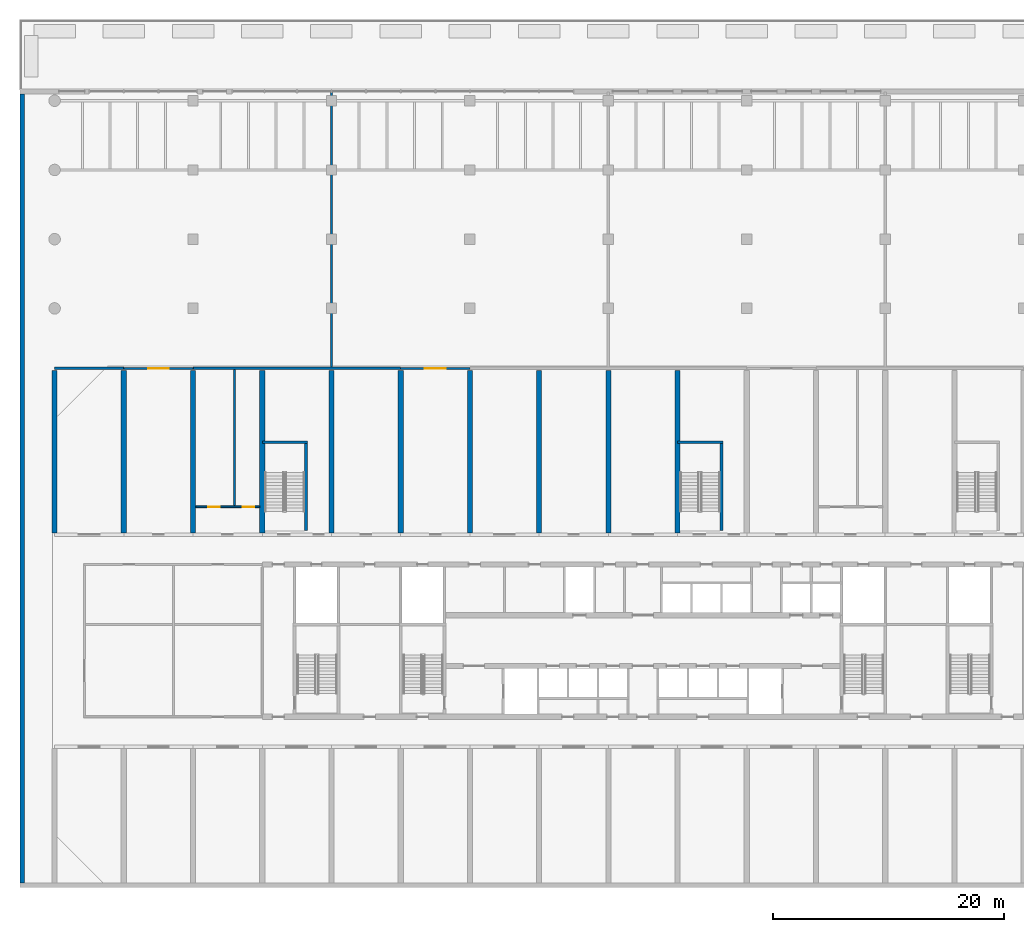
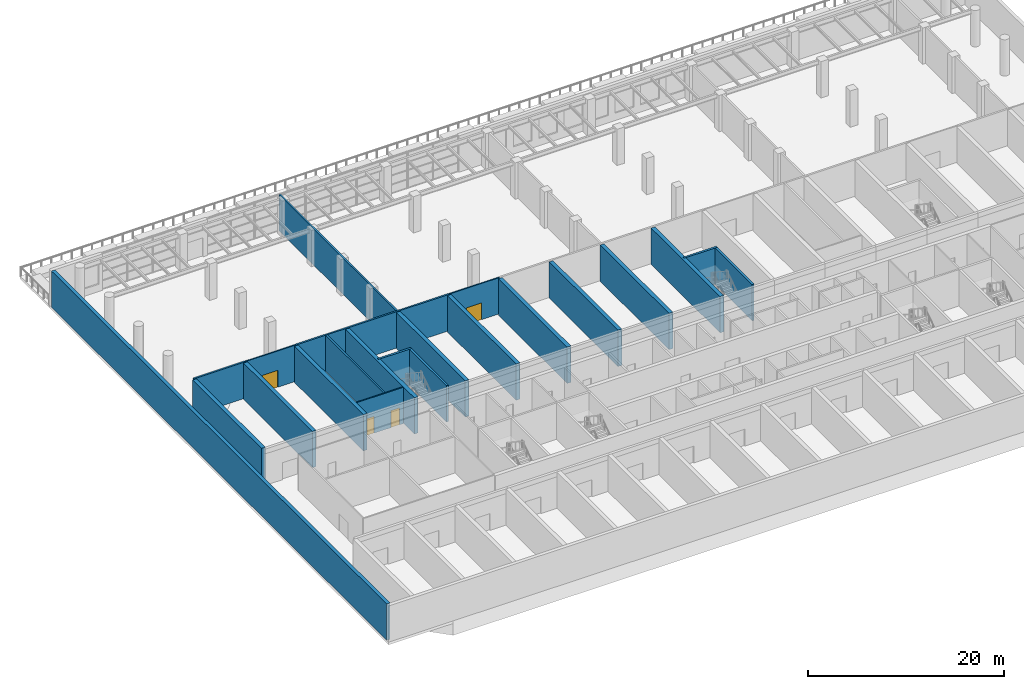
# One storey, part 11 of 20: 22 walls, 4 doors, 4 openings.
"""IFC4 building model written with IfcOpenShell, lengths in metres."""

from ifc_helpers import new_model, si_unit, direction, frame, frame_2d, origin, place, context, subcontext, project, spatial, rectangle, extrude, material, layer, layer_set, type_object, element, fill, save


model = new_model("IFC4")

# Units and contexts
model_context = context("Model", 3, precision=1e-05, world=origin(), true_north=direction((0.0, 1.0)))
body_context = subcontext(model_context, "Body", "Model", "MODEL_VIEW")
ifc_project = project(units=[si_unit("LENGTHUNIT", "METRE"), si_unit("AREAUNIT", "SQUARE_METRE"), si_unit("VOLUMEUNIT", "CUBIC_METRE"), si_unit("PLANEANGLEUNIT", "RADIAN"), si_unit("MASSUNIT", "GRAM", prefix="KILO")], contexts=[model_context])

# Site, building, storey
site_placement = place(None, origin())
site = spatial("IfcSite", under=ifc_project, at=site_placement, CompositionType="ELEMENT")
building_placement = place(site_placement, origin())
building = spatial("IfcBuilding", under=site, at=building_placement, Name="Poui Terraces", CompositionType="ELEMENT")
storey_placement = place(building_placement, frame((0.0, 0.0, 6.0)))
storey = spatial("IfcBuildingStorey", under=building, at=storey_placement, Name="L01", CompositionType="ELEMENT", Elevation=6.0)

# Walls
ifc_material_1 = material(Name="Fire-rated masonry wall", Category="masonry")
ifc_layer_1 = layer(ifc_material_1, 0.199951171875)
ifc_layer_set_1 = layer_set([ifc_layer_1], Name="Fire-rated masonry wall")
wall_type_1 = type_object("IfcWallType", Name="COMPARTMENT WALL 200", PredefinedType="PARTITIONING", material=ifc_layer_set_1)
wall_1_placement = place(storey_placement, frame((0.0, 44.800048828125, 0.0), z_axis=(0.0, 0.0, 1.0), x_axis=(1.0, 0.0, 0.0)))
element("IfcWall", 1, at=wall_1_placement, inside=storey, type_object=wall_type_1, Name="COMPARTMENT WALL 200", PredefinedType="PARTITIONING", context=body_context, shape_type="SweptSolid", body=[
    extrude(rectangle(XDim=6.0, YDim=0.199951171875, at=frame_2d((3.0, 0.0))), origin(), (0.0, 0.0, 1.0), 4.52001953125),
])
wall_2_placement = place(storey_placement, frame((12.0, 44.800048828125, 0.0), z_axis=(0.0, 0.0, 1.0), x_axis=(1.0, 0.0, 0.0)))
element("IfcWall", 2, at=wall_2_placement, inside=storey, type_object=wall_type_1, Name="COMPARTMENT WALL 200", PredefinedType="PARTITIONING", context=body_context, shape_type="SweptSolid", body=[
    extrude(rectangle(XDim=18.0, YDim=0.199951171875, at=frame_2d((9.0, 0.0))), origin(), (0.0, 0.0, 1.0), 4.52001953125),
])
wall_3_placement = place(storey_placement, frame((15.60009765625, 32.875, 0.0), z_axis=(0.0, 0.0, 1.0), x_axis=(0.0, 1.0, 0.0)))
element("IfcWall", 3, at=wall_3_placement, inside=storey, type_object=wall_type_1, Name="COMPARTMENT WALL 200", PredefinedType="PARTITIONING", context=body_context, shape_type="SweptSolid", body=[
    extrude(rectangle(XDim=11.824951171875, YDim=0.199951171875, at=frame_2d((5.91259765625, 0.0))), origin(), (0.0, 0.0, 1.0), 4.52001953125),
])
wall_4_placement = place(storey_placement, frame((24.0, 44.89990234375, 0.0), z_axis=(0.0, 0.0, 1.0), x_axis=(0.0, 1.0, 0.0)))
element("IfcWall", 4, at=wall_4_placement, inside=storey, type_object=wall_type_1, Name="COMPARTMENT WALL 200", PredefinedType="PARTITIONING", context=body_context, shape_type="SweptSolid", body=[
    extrude(rectangle(XDim=23.840087890625, YDim=0.199951171875, at=frame_2d((11.919921875, 0.0))), origin(), (0.0, 0.0, 1.0), 4.52001953125),
])

# Wall, openings, doors
ifc_material_2 = material(Name="Fire-rated plasterboard wall")
ifc_layer_2 = layer(ifc_material_2, 0.14990234375)
ifc_layer_set_2 = layer_set([ifc_layer_2], Name="Fire-rated plasterboard wall")
wall_type_2 = type_object("IfcWallType", Name="CORRIDOR WALL 150", PredefinedType="PARTITIONING", material=ifc_layer_set_2)
wall_5_placement = place(storey_placement, frame((12.235107421875, 32.800048828125, 0.0), z_axis=(0.0, 0.0, 1.0), x_axis=(1.0, 0.0, 0.0)))
wall_5 = element("IfcWall", 5, at=wall_5_placement, inside=storey, type_object=wall_type_2, Name="CORRIDOR WALL 150", PredefinedType="PARTITIONING", context=body_context, shape_type="SweptSolid", body=[
    extrude(rectangle(XDim=5.52978515625, YDim=0.14990234375, at=frame_2d((2.764892578125, 0.0))), origin(), (0.0, 0.0, 1.0), 4.52001953125),
])
opening_1_placement = place(wall_5_placement, frame((1.06494140625, 0.0, 0.0)))
opening_1 = element("IfcOpeningElement", 6, at=opening_1_placement, cuts=wall_5, Name="Opening D100", PredefinedType="OPENING", context=body_context, shape_type="SweptSolid", body=[
    extrude(rectangle(XDim=1.0, YDim=2.10009765625, at=frame_2d((0.5, 1.050048828125))), frame((0.0, 0.0849609375, 0.0), z_axis=(0.0, -1.0, 0.0), x_axis=(1.0, 0.0, 0.0)), (0.0, 0.0, 1.0), 0.169921875),
])
opening_2_placement = place(wall_5_placement, frame((4.06494140625, 0.0, 0.0)))
opening_2 = element("IfcOpeningElement", 7, at=opening_2_placement, cuts=wall_5, Name="Opening D100", PredefinedType="OPENING", context=body_context, shape_type="SweptSolid", body=[
    extrude(rectangle(XDim=1.0, YDim=2.10009765625, at=frame_2d((0.5, 1.050048828125))), frame((0.0, 0.0849609375, 0.0), z_axis=(0.0, -1.0, 0.0), x_axis=(1.0, 0.0, 0.0)), (0.0, 0.0, 1.0), 0.169921875),
])
ifc_material_3 = material(Name="Solid core timber door", Category="wood")
door_type_1 = type_object("IfcDoorType", Name="ACCESSIBLE INTERNAL DOOR 1000 X 2100", OperationType="NOTDEFINED", PredefinedType="DOOR", material=ifc_material_3)
door_1_placement = place(opening_1_placement, frame((1.0, 0.0, 0.0), z_axis=(0.0, 0.0, 1.0), x_axis=(-1.0, 0.0, 0.0)))
door_1 = element("IfcDoor", 8, at=door_1_placement, inside=storey, type_object=door_type_1, Name="ACCESSIBLE INTERNAL DOOR 072", OperationType="SINGLE_SWING_RIGHT", OverallHeight=2.10009765625, OverallWidth=1.0, PredefinedType="DOOR", context=body_context, shape_type="SweptSolid", body=[
    extrude(rectangle(XDim=1.0, YDim=2.10009765625, at=frame_2d((0.5, 1.050048828125))), frame((0.0, 0.02490234375, 0.0), z_axis=(0.0, -1.0, 0.0), x_axis=(1.0, 0.0, 0.0)), (0.0, 0.0, 1.0), 0.050048828125),
])
fill(opening_1, door_1)
door_2_placement = place(opening_2_placement, frame((1.0, 0.0, 0.0), z_axis=(0.0, 0.0, 1.0), x_axis=(-1.0, 0.0, 0.0)))
door_2 = element("IfcDoor", 9, at=door_2_placement, inside=storey, type_object=door_type_1, Name="ACCESSIBLE INTERNAL DOOR 073", OperationType="SINGLE_SWING_LEFT", OverallHeight=2.10009765625, OverallWidth=1.0, PredefinedType="DOOR", context=body_context, shape_type="SweptSolid", body=[
    extrude(rectangle(XDim=1.0, YDim=2.10009765625, at=frame_2d((0.5, 1.050048828125))), frame((0.0, 0.02490234375, 0.0), z_axis=(0.0, -1.0, 0.0), x_axis=(1.0, 0.0, 0.0)), (0.0, 0.0, 1.0), 0.050048828125),
])
fill(opening_2, door_2)

# Wall, opening, door
wall_6_placement = place(storey_placement, frame((6.0, 44.800048828125, 0.0), z_axis=(0.0, 0.0, 1.0), x_axis=(1.0, 0.0, 0.0)))
wall_6 = element("IfcWall", 10, at=wall_6_placement, inside=storey, type_object=wall_type_2, Name="CORRIDOR WALL 150", PredefinedType="PARTITIONING", context=body_context, shape_type="SweptSolid", body=[
    extrude(rectangle(XDim=6.0, YDim=0.14990234375, at=frame_2d((3.0, 0.0))), origin(), (0.0, 0.0, 1.0), 4.52001953125),
])
opening_3_placement = place(wall_6_placement, frame((2.10009765625, 0.0, 0.0)))
opening_3 = element("IfcOpeningElement", 11, at=opening_3_placement, cuts=wall_6, Name="Opening DD180", PredefinedType="OPENING", context=body_context, shape_type="SweptSolid", body=[
    extrude(rectangle(XDim=1.800048828125, YDim=2.10009765625, at=frame_2d((0.89990234375, 1.050048828125))), frame((0.0, 0.0849609375, 0.0), z_axis=(0.0, -1.0, 0.0), x_axis=(1.0, 0.0, 0.0)), (0.0, 0.0, 1.0), 0.169921875),
])
ifc_material_4 = material(Name="Steel fire door", Category="steel")
door_type_2 = type_object("IfcDoorType", Name="DOUBLE INTERNAL DOOR 1800 X 2100", OperationType="DOUBLE_DOOR_SINGLE_SWING", PredefinedType="DOOR", material=ifc_material_4)
door_3_placement = place(opening_3_placement, frame((1.800048828125, 0.0, 0.0), z_axis=(0.0, 0.0, 1.0), x_axis=(-1.0, 0.0, 0.0)))
door_3 = element("IfcDoor", 12, at=door_3_placement, inside=storey, type_object=door_type_2, Name="DOUBLE INTERNAL DOOR 076", OperationType="DOUBLE_DOOR_SINGLE_SWING", OverallHeight=2.10009765625, OverallWidth=1.800048828125, PredefinedType="DOOR", context=body_context, shape_type="SweptSolid", body=[
    extrude(rectangle(XDim=1.800048828125, YDim=2.10009765625, at=frame_2d((0.89990234375, 1.050048828125))), frame((0.0, 0.02490234375, 0.0), z_axis=(0.0, -1.0, 0.0), x_axis=(1.0, 0.0, 0.0)), (0.0, 0.0, 1.0), 0.050048828125),
])
fill(opening_3, door_3)

wall_7_placement = place(storey_placement, frame((30.0, 44.800048828125, 0.0), z_axis=(0.0, 0.0, 1.0), x_axis=(1.0, 0.0, 0.0)))
wall_7 = element("IfcWall", 13, at=wall_7_placement, inside=storey, type_object=wall_type_2, Name="CORRIDOR WALL 150", PredefinedType="PARTITIONING", context=body_context, shape_type="SweptSolid", body=[
    extrude(rectangle(XDim=6.0, YDim=0.14990234375, at=frame_2d((3.0, 0.0))), origin(), (0.0, 0.0, 1.0), 4.52001953125),
])
opening_4_placement = place(wall_7_placement, frame((2.10009765625, 0.0, 0.0)))
opening_4 = element("IfcOpeningElement", 14, at=opening_4_placement, cuts=wall_7, Name="Opening DD180", PredefinedType="OPENING", context=body_context, shape_type="SweptSolid", body=[
    extrude(rectangle(XDim=1.800048828125, YDim=2.10009765625, at=frame_2d((0.89990234375, 1.050048828125))), frame((0.0, 0.0849609375, 0.0), z_axis=(0.0, -1.0, 0.0), x_axis=(1.0, 0.0, 0.0)), (0.0, 0.0, 1.0), 0.169921875),
])
door_4_placement = place(opening_4_placement, frame((1.800048828125, 0.0, 0.0), z_axis=(0.0, 0.0, 1.0), x_axis=(-1.0, 0.0, 0.0)))
door_4 = element("IfcDoor", 15, at=door_4_placement, inside=storey, type_object=door_type_2, Name="DOUBLE INTERNAL DOOR 077", OperationType="DOUBLE_DOOR_SINGLE_SWING", OverallHeight=2.10009765625, OverallWidth=1.800048828125, PredefinedType="DOOR", context=body_context, shape_type="SweptSolid", body=[
    extrude(rectangle(XDim=1.800048828125, YDim=2.10009765625, at=frame_2d((0.89990234375, 1.050048828125))), frame((0.0, 0.02490234375, 0.0), z_axis=(0.0, -1.0, 0.0), x_axis=(1.0, 0.0, 0.0)), (0.0, 0.0, 1.0), 0.050048828125),
])
fill(opening_4, door_4)

# Walls
ifc_material_5 = material(Name="Concrete 80 MPa", Category="concrete")
ifc_layer_3 = layer(ifc_material_5, 0.449951171875)
ifc_layer_set_3 = layer_set([ifc_layer_3], Name="Concrete 80 MPa")
wall_type_3 = type_object("IfcWallType", Name="CROSS WALL 450 80MPa", PredefinedType="SHEAR", material=ifc_layer_set_3)
for number, where, z_axis, x_axis, name in (
    (16, (0.0, 30.550048828125, 0.0), (0.0, 0.0, 1.0), (0.0, 1.0, 0.0), "CROSS WALL LINE 1 NORTH"),
    (17, (6.0, 30.550048828125, 0.0), (0.0, 0.0, 1.0), (0.0, 1.0, 0.0), "CROSS WALL LINE 2 NORTH"),
    (18, (12.0, 30.550048828125, 0.0), (0.0, 0.0, 1.0), (0.0, 1.0, 0.0), "CROSS WALL LINE 3 NORTH"),
    (19, (18.0, 30.550048828125, 0.0), (0.0, 0.0, 1.0), (0.0, 1.0, 0.0), "CROSS WALL LINE 4 NORTH"),
    (20, (24.0, 30.550048828125, 0.0), (0.0, 0.0, 1.0), (0.0, 1.0, 0.0), "CROSS WALL LINE 5 NORTH"),
    (21, (30.0, 30.550048828125, 0.0), (0.0, 0.0, 1.0), (0.0, 1.0, 0.0), "CROSS WALL LINE 6 NORTH"),
    (22, (36.0, 30.550048828125, 0.0), (0.0, 0.0, 1.0), (0.0, 1.0, 0.0), "CROSS WALL LINE 7 NORTH"),
    (23, (42.0, 30.550048828125, 0.0), (0.0, 0.0, 1.0), (0.0, 1.0, 0.0), "CROSS WALL LINE 8 NORTH"),
    (24, (48.0, 30.550048828125, 0.0), (0.0, 0.0, 1.0), (0.0, 1.0, 0.0), "CROSS WALL LINE 9 NORTH"),
    (25, (54.0, 30.550048828125, 0.0), (0.0, 0.0, 1.0), (0.0, 1.0, 0.0), "CROSS WALL LINE 10 NORTH"),
):
    element("IfcWall", number, at=place(storey_placement, frame(where, z_axis=z_axis, x_axis=x_axis)), inside=storey, type_object=wall_type_3, Name=name, PredefinedType="SHEAR", context=body_context, shape_type="SweptSolid", body=[
        extrude(rectangle(XDim=14.050048828125, YDim=0.449951171875, at=frame_2d((7.02490234375, 0.0))), origin(), (0.0, 0.0, 1.0), 4.52001953125),
    ])
ifc_material_6 = material(Name="Precast concrete 40 MPa", Category="concrete")
ifc_layer_4 = layer(ifc_material_6, 0.39990234375)
ifc_layer_set_4 = layer_set([ifc_layer_4], Name="Precast concrete 40 MPa")
wall_type_4 = type_object("IfcWallType", Name="EXTERNAL WALL 400", PredefinedType="STANDARD", material=ifc_layer_set_4)
wall_8_placement = place(storey_placement, frame((-2.800048828125, 68.60009765625, 0.0), z_axis=(0.0, 0.0, 1.0), x_axis=(0.0, -1.0, 0.0)))
element("IfcWall", 26, at=wall_8_placement, inside=storey, type_object=wall_type_4, Name="EXTERNAL WALL W", PredefinedType="STANDARD", context=body_context, shape_type="SweptSolid", body=[
    extrude(rectangle(XDim=68.400146484375, YDim=0.39990234375, at=frame_2d((34.2001953125, 0.0))), origin(), (0.0, 0.0, 1.0), 4.52001953125),
])
ifc_layer_5 = layer(ifc_material_5, 0.25)
ifc_layer_set_5 = layer_set([ifc_layer_5], Name="Concrete 80 MPa")
wall_type_5 = type_object("IfcWallType", Name="STAIR CORE WALL 250 80 MPA", PredefinedType="SOLIDWALL", material=ifc_layer_set_5)
wall_9_placement = place(storey_placement, frame((21.800048828125, 30.75, 0.0), z_axis=(0.0, 0.0, 1.0), x_axis=(0.0, 1.0, 0.0)))
element("IfcWall", 27, at=wall_9_placement, inside=storey, type_object=wall_type_5, Name="STAIR CORE WALL", PredefinedType="SOLIDWALL", context=body_context, shape_type="SweptSolid", body=[
    extrude(rectangle(XDim=7.52490234375, YDim=0.25, at=frame_2d((3.762451171875, 0.0))), origin(), (0.0, 0.0, 1.0), 4.52001953125),
])
wall_10_placement = place(storey_placement, frame((18.0, 38.39990234375, 0.0), z_axis=(0.0, 0.0, 1.0), x_axis=(1.0, 0.0, 0.0)))
element("IfcWall", 28, at=wall_10_placement, inside=storey, type_object=wall_type_5, Name="STAIR CORE WALL", PredefinedType="SOLIDWALL", context=body_context, shape_type="SweptSolid", body=[
    extrude(rectangle(XDim=3.925048828125, YDim=0.25, at=frame_2d((1.96240234375, 0.0))), origin(), (0.0, 0.0, 1.0), 4.52001953125),
])
wall_11_placement = place(storey_placement, frame((57.800048828125, 30.75, 0.0), z_axis=(0.0, 0.0, 1.0), x_axis=(0.0, 1.0, 0.0)))
element("IfcWall", 29, at=wall_11_placement, inside=storey, type_object=wall_type_5, Name="STAIR CORE WALL", PredefinedType="SOLIDWALL", context=body_context, shape_type="SweptSolid", body=[
    extrude(rectangle(XDim=7.52490234375, YDim=0.25, at=frame_2d((3.762451171875, 0.0))), origin(), (0.0, 0.0, 1.0), 4.52001953125),
])
wall_12_placement = place(storey_placement, frame((54.0, 38.39990234375, 0.0), z_axis=(0.0, 0.0, 1.0), x_axis=(1.0, 0.0, 0.0)))
element("IfcWall", 30, at=wall_12_placement, inside=storey, type_object=wall_type_5, Name="STAIR CORE WALL", PredefinedType="SOLIDWALL", context=body_context, shape_type="SweptSolid", body=[
    extrude(rectangle(XDim=3.925048828125, YDim=0.25, at=frame_2d((1.96240234375, 0.0))), origin(), (0.0, 0.0, 1.0), 4.52001953125),
])

save(model, "model.ifc")
